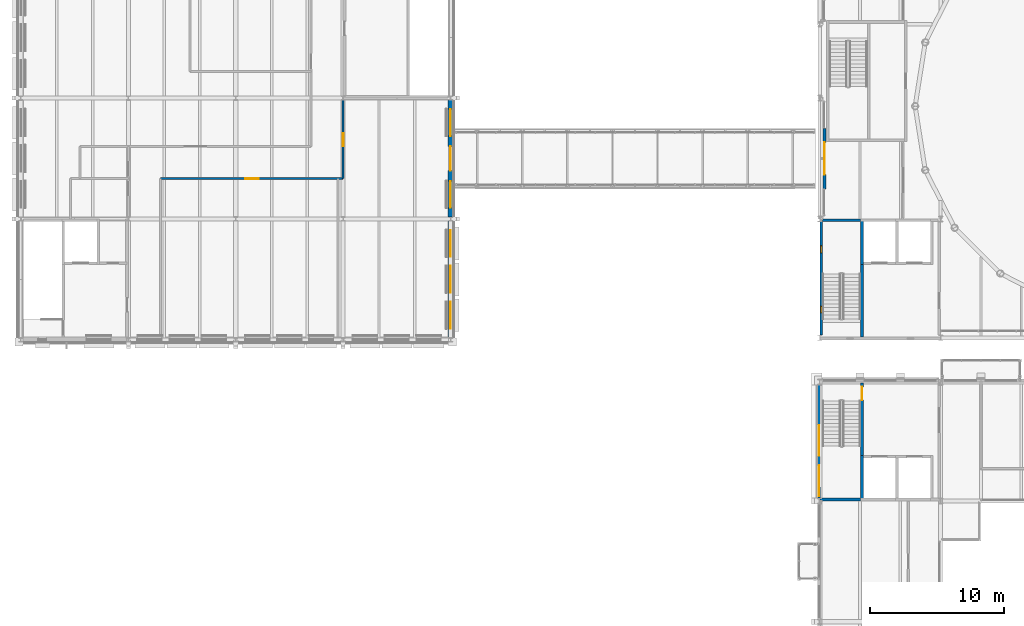
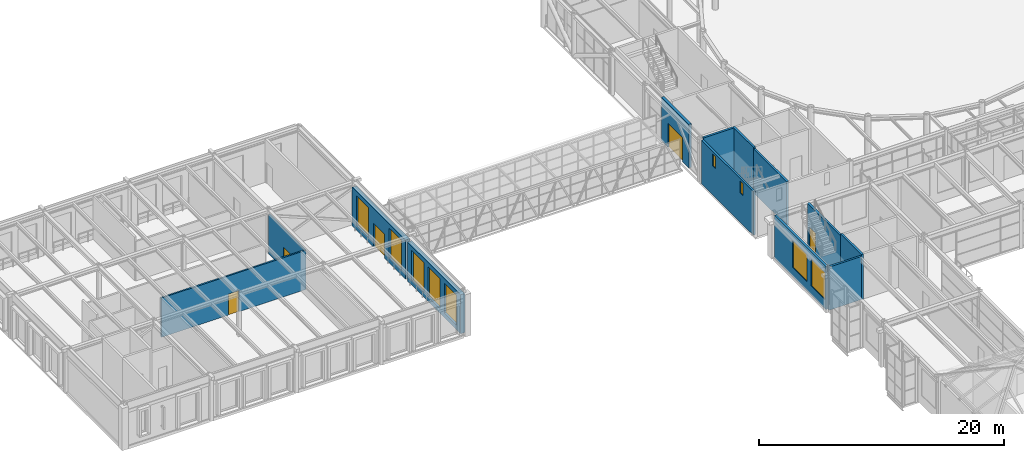
# One storey, part 94 of 149: 13 walls, 9 windows, 5 doors, 14 openings.
"""IFC4 building model written with IfcOpenShell, lengths in metres."""

from ifc_helpers import new_model, si_unit, direction, frame, frame_2d, origin, place, context, subcontext, project, spatial, rectangle, extrude, material, layer, layer_set, type_object, element, fill, save


model = new_model("IFC4")

# Units and contexts
model_context = context("Model", 3, precision=1e-05, world=origin(), true_north=direction((0.0, 1.0)))
body_context = subcontext(model_context, "Body", "Model", "MODEL_VIEW")
ifc_project = project(units=[si_unit("LENGTHUNIT", "METRE"), si_unit("AREAUNIT", "SQUARE_METRE"), si_unit("VOLUMEUNIT", "CUBIC_METRE"), si_unit("PLANEANGLEUNIT", "RADIAN"), si_unit("MASSUNIT", "GRAM", prefix="KILO")], contexts=[model_context])

# Site, building, storey
site_placement = place(None, origin())
site = spatial("IfcSite", under=ifc_project, at=site_placement, CompositionType="ELEMENT")
building_placement = place(site_placement, origin())
building = spatial("IfcBuilding", under=site, at=building_placement, Name="Kallimachos Central Library", CompositionType="ELEMENT")
storey_placement = place(building_placement, frame((0.0, 0.0, 9.89990234375)))
storey = spatial("IfcBuildingStorey", under=building, at=storey_placement, Name="L02", CompositionType="ELEMENT", Elevation=9.89990234375)

# Walls
ifc_material_1 = material(Name="Concrete C30/37", Category="concrete")
ifc_layer_1 = layer(ifc_material_1, 0.199951171875)
ifc_layer_set_1 = layer_set([ifc_layer_1], Name="Core wall 200")
wall_type_1 = type_object("IfcWallType", Name="Core wall 200", PredefinedType="SOLIDWALL", material=ifc_layer_set_1)
wall_1_placement = place(storey_placement, frame((65.699951171875, 95.89990234375, 0.0), z_axis=(0.0, 0.0, 1.0), x_axis=(1.0, 0.0, 0.0)))
element("IfcWall", 1, at=wall_1_placement, inside=storey, type_object=wall_type_1, Name="Core wall V1-SW N", PredefinedType="SOLIDWALL", context=body_context, shape_type="SweptSolid", body=[
    extrude(rectangle(XDim=2.85009765625, YDim=0.199951171875, at=frame_2d((1.425048828125, 0.0))), origin(), (0.0, 0.0, 1.0), 4.5),
])
wall_2_placement = place(storey_placement, frame((68.64990234375, 87.199951171875, 0.0), z_axis=(0.0, 0.0, 1.0), x_axis=(0.0, 1.0, 0.0)))
element("IfcWall", 2, at=wall_2_placement, inside=storey, type_object=wall_type_1, Name="Stair wall V1-SW", PredefinedType="SOLIDWALL", context=body_context, shape_type="SweptSolid", body=[
    extrude(rectangle(XDim=5.400146484375, YDim=0.199951171875, at=frame_2d((2.7001953125, 0.0))), origin(), (0.0, 0.0, 1.0), 4.35009765625),
])
ifc_material_2 = material(Name="Concrete C30/37", Category="concrete")
ifc_layer_2 = layer(ifc_material_2, 0.199951171875)
ifc_layer_set_2 = layer_set([ifc_layer_2], Name="Lift shaft wall 200")
wall_type_2 = type_object("IfcWallType", Name="Lift shaft wall 200", PredefinedType="SOLIDWALL", material=ifc_layer_set_2)
for number, where, z_axis, x_axis, name in (
    (3, (68.64990234375, 75.0, 0.0), (0.0, 0.0, 1.0), (0.0, 1.0, 0.0), "V4-WAL-L02-003"),
    (4, (68.64990234375, 92.60009765625, 0.0), (0.0, 0.0, 1.0), (0.0, 1.0, 0.0), "V1-WAL-L02-003"),
):
    element("IfcWall", number, at=place(storey_placement, frame(where, z_axis=z_axis, x_axis=x_axis)), inside=storey, type_object=wall_type_2, Name=name, PredefinedType="SOLIDWALL", context=body_context, shape_type="SweptSolid", body=[
        extrude(rectangle(XDim=3.39990234375, YDim=0.199951171875, at=frame_2d((1.699951171875, 0.0))), origin(), (0.0, 0.0, 1.0), 4.5),
    ])

# Wall, opening, door
ifc_material_3 = material(Name="Pentelic marble cladding on blockwork", Category="masonry")
ifc_layer_3 = layer(ifc_material_3, 0.25)
ifc_layer_set_3 = layer_set([ifc_layer_3], Name="Link portal wall 250")
wall_type_3 = type_object("IfcWallType", Name="Link portal wall 250", PredefinedType="SOLIDWALL", material=ifc_layer_set_3)
wall_3_placement = place(storey_placement, frame((65.85009765625, 98.25, 0.0), z_axis=(0.0, 0.0, 1.0), x_axis=(0.0, 1.0, 0.0)))
wall_3 = element("IfcWall", 5, at=wall_3_placement, inside=storey, type_object=wall_type_3, Name="V1-WAL-L02-016", PredefinedType="SOLIDWALL", context=body_context, shape_type="SweptSolid", body=[
    extrude(rectangle(XDim=4.5, YDim=0.25, at=frame_2d((2.25, 0.0))), origin(), (0.0, 0.0, 1.0), 4.35009765625),
])
opening_1_placement = place(wall_3_placement, frame((1.050048828125, 0.0, 0.0)))
opening_1 = element("IfcOpeningElement", 6, at=opening_1_placement, cuts=wall_3, Name="Opening D56", PredefinedType="OPENING", context=body_context, shape_type="SweptSolid", body=[
    extrude(rectangle(XDim=2.39990234375, YDim=2.39990234375, at=frame_2d((1.199951171875, 1.199951171875))), frame((0.0, 0.135009765625, 0.0), z_axis=(0.0, -1.0, 0.0), x_axis=(1.0, 0.0, 0.0)), (0.0, 0.0, 1.0), 0.27001953125),
])
ifc_material_4 = material(Name="Glass and anodised aluminium", Category="aluminium")
door_type_1 = type_object("IfcDoorType", Name="Glazed double door 2400 x 2400", OperationType="DOUBLE_DOOR_SINGLE_SWING", PredefinedType="DOOR", material=ifc_material_4)
door_1_placement = place(opening_1_placement, origin())
door_1 = element("IfcDoor", 7, at=door_1_placement, inside=storey, type_object=door_type_1, Name="V1-DOR-L02-006", OperationType="DOUBLE_DOOR_SINGLE_SWING", OverallHeight=2.39990234375, OverallWidth=2.39990234375, PredefinedType="DOOR", context=body_context, shape_type="SweptSolid", body=[
    extrude(rectangle(XDim=2.39990234375, YDim=2.39990234375, at=frame_2d((1.199951171875, 1.199951171875))), frame((0.0, 0.02490234375, 0.0), z_axis=(0.0, -1.0, 0.0), x_axis=(1.0, 0.0, 0.0)), (0.0, 0.0, 1.0), 0.050048828125),
])
fill(opening_1, door_1)

ifc_material_5 = material(Name="Gypsum board on steel studs", Category="steel")
ifc_layer_4 = layer(ifc_material_5, 0.14990234375)
ifc_layer_set_4 = layer_set([ifc_layer_4], Name="Partition wall 150")
wall_type_4 = type_object("IfcWallType", Name="Partition wall 150", PredefinedType="PARTITIONING", material=ifc_layer_set_4)
wall_4_placement = place(storey_placement, frame((16.39990234375, 99.0, 0.0), z_axis=(0.0, 0.0, 1.0), x_axis=(1.0, 0.0, 0.0)))
wall_4 = element("IfcWall", 8, at=wall_4_placement, inside=storey, type_object=wall_type_4, Name="Partition L02", PredefinedType="PARTITIONING", context=body_context, shape_type="SweptSolid", body=[
    extrude(rectangle(XDim=13.60009765625, YDim=0.14990234375, at=frame_2d((6.800048828125, 0.0))), origin(), (0.0, 0.0, 1.0), 3.91015625),
])
opening_2_placement = place(wall_4_placement, frame((6.300048828125, 0.0, 0.0)))
opening_2 = element("IfcOpeningElement", 9, at=opening_2_placement, cuts=wall_4, Name="Opening D313", PredefinedType="OPENING", context=body_context, shape_type="SweptSolid", body=[
    extrude(rectangle(XDim=1.0, YDim=2.10009765625, at=frame_2d((0.5, 1.050048828125))), frame((0.0, 0.0849609375, 0.0), z_axis=(0.0, -1.0, 0.0), x_axis=(1.0, 0.0, 0.0)), (0.0, 0.0, 1.0), 0.169921875),
])
ifc_material_6 = material(Name="Timber", Category="wood")
door_type_2 = type_object("IfcDoorType", Name="Single leaf door 1000 x 2100, EI2 30", OperationType="NOTDEFINED", PredefinedType="DOOR", material=ifc_material_6)
door_2_placement = place(opening_2_placement, origin())
door_2 = element("IfcDoor", 10, at=door_2_placement, inside=storey, type_object=door_type_2, Name="Door to Homework Room", OperationType="SINGLE_SWING_LEFT", OverallHeight=2.10009765625, OverallWidth=1.0, PredefinedType="DOOR", context=body_context, shape_type="SweptSolid", body=[
    extrude(rectangle(XDim=1.0, YDim=2.10009765625, at=frame_2d((0.5, 1.050048828125))), frame((0.0, 0.02490234375, 0.0), z_axis=(0.0, -1.0, 0.0), x_axis=(1.0, 0.0, 0.0)), (0.0, 0.0, 1.0), 0.050048828125),
])
fill(opening_2, door_2)

wall_5_placement = place(storey_placement, frame((30.0, 99.0, 0.0), z_axis=(0.0, 0.0, 1.0), x_axis=(0.0, 1.0, 0.0)))
wall_5 = element("IfcWall", 11, at=wall_5_placement, inside=storey, type_object=wall_type_4, Name="Partition L02", PredefinedType="PARTITIONING", context=body_context, shape_type="SweptSolid", body=[
    extrude(rectangle(XDim=5.85009765625, YDim=0.14990234375, at=frame_2d((2.925048828125, 0.0))), origin(), (0.0, 0.0, 1.0), 3.91015625),
])
opening_3_placement = place(wall_5_placement, frame((2.39990234375, 0.0, 0.0)))
opening_3 = element("IfcOpeningElement", 12, at=opening_3_placement, cuts=wall_5, Name="Opening D314", PredefinedType="OPENING", context=body_context, shape_type="SweptSolid", body=[
    extrude(rectangle(XDim=1.0, YDim=2.10009765625, at=frame_2d((0.5, 1.050048828125))), frame((0.0, 0.0849609375, 0.0), z_axis=(0.0, -1.0, 0.0), x_axis=(1.0, 0.0, 0.0)), (0.0, 0.0, 1.0), 0.169921875),
])
door_3_placement = place(opening_3_placement, origin())
door_3 = element("IfcDoor", 13, at=door_3_placement, inside=storey, type_object=door_type_2, Name="Door to Family Room", OperationType="SINGLE_SWING_RIGHT", OverallHeight=2.10009765625, OverallWidth=1.0, PredefinedType="DOOR", context=body_context, shape_type="SweptSolid", body=[
    extrude(rectangle(XDim=1.0, YDim=2.10009765625, at=frame_2d((0.5, 1.050048828125))), frame((0.0, 0.02490234375, 0.0), z_axis=(0.0, -1.0, 0.0), x_axis=(1.0, 0.0, 0.0)), (0.0, 0.0, 1.0), 0.050048828125),
])
fill(opening_3, door_3)

# Wall
ifc_material_7 = material(Name="Concrete C35/45", Category="concrete")
ifc_layer_5 = layer(ifc_material_7, 0.199951171875)
ifc_layer_set_5 = layer_set([ifc_layer_5], Name="Shear core wall 200, internal")
wall_type_5 = type_object("IfcWallType", Name="Shear core wall 200, internal", PredefinedType="SHEAR", material=ifc_layer_set_5)
wall_6_placement = place(storey_placement, frame((65.5, 75.10009765625, 0.0), z_axis=(0.0, 0.0, 1.0), x_axis=(1.0, 0.0, 0.0)))
element("IfcWall", 14, at=wall_6_placement, inside=storey, type_object=wall_type_5, Name="L02 core wall V4-NW S", PredefinedType="SHEAR", context=body_context, shape_type="SweptSolid", body=[
    extrude(rectangle(XDim=3.050048828125, YDim=0.199951171875, at=frame_2d((1.52490234375, 0.0))), origin(), (0.0, 0.0, 1.0), 4.300048828125),
])

# Wall, opening, door
wall_7_placement = place(storey_placement, frame((68.64990234375, 78.39990234375, 0.0), z_axis=(0.0, 0.0, 1.0), x_axis=(0.0, 1.0, 0.0)))
wall_7 = element("IfcWall", 15, at=wall_7_placement, inside=storey, type_object=wall_type_5, Name="L02 core wall V4-NW M", PredefinedType="SHEAR", context=body_context, shape_type="SweptSolid", body=[
    extrude(rectangle(XDim=5.400146484375, YDim=0.199951171875, at=frame_2d((2.7001953125, 0.0))), origin(), (0.0, 0.0, 1.0), 4.300048828125),
])
opening_4_placement = place(wall_7_placement, frame((4.10009765625, 0.0, 0.0)))
opening_4 = element("IfcOpeningElement", 16, at=opening_4_placement, cuts=wall_7, Name="Opening D153", PredefinedType="OPENING", context=body_context, shape_type="SweptSolid", body=[
    extrude(rectangle(XDim=1.0, YDim=2.10009765625, at=frame_2d((0.5, 1.050048828125))), frame((0.0, 0.10986328125, 0.0), z_axis=(0.0, -1.0, 0.0), x_axis=(1.0, 0.0, 0.0)), (0.0, 0.0, 1.0), 0.219970703125),
])
ifc_material_8 = material(Name="Timber", Category="wood")
door_type_3 = type_object("IfcDoorType", Name="Single leaf door 1000 x 2100, EI2 90", OperationType="NOTDEFINED", PredefinedType="DOOR", material=ifc_material_8)
door_4_placement = place(opening_4_placement, origin())
door_4 = element("IfcDoor", 17, at=door_4_placement, inside=storey, type_object=door_type_3, Name="L02 core door V4-NW", OperationType="SINGLE_SWING_RIGHT", OverallHeight=2.10009765625, OverallWidth=1.0, PredefinedType="DOOR", context=body_context, shape_type="SweptSolid", body=[
    extrude(rectangle(XDim=1.0, YDim=2.10009765625, at=frame_2d((0.5, 1.050048828125))), frame((0.0, 0.02490234375, 0.0), z_axis=(0.0, -1.0, 0.0), x_axis=(1.0, 0.0, 0.0)), (0.0, 0.0, 1.0), 0.050048828125),
])
fill(opening_4, door_4)

# Wall, openings, windows
ifc_material_9 = material(Name="Pentelic marble cladding on insulated brick masonry", Category="masonry")
ifc_layer_6 = layer(ifc_material_9, 0.39990234375)
ifc_layer_set_6 = layer_set([ifc_layer_6], Name="Stone cladding wall 400, unrated")
wall_type_6 = type_object("IfcWallType", Name="Stone cladding wall 400, unrated", PredefinedType="SOLIDWALL", material=ifc_layer_set_6)
wall_8_placement = place(storey_placement, frame((38.0, 87.14990234375, 0.0), z_axis=(0.0, 0.0, 1.0), x_axis=(0.0, 1.0, 0.0)))
wall_8 = element("IfcWall", 18, at=wall_8_placement, inside=storey, type_object=wall_type_6, Name="Stone wall E1 L02", PredefinedType="SOLIDWALL", context=body_context, shape_type="SweptSolid", body=[
    extrude(rectangle(XDim=8.7001953125, YDim=0.39990234375, at=frame_2d((4.35009765625, 0.0))), origin(), (0.0, 0.0, 1.0), 3.880126953125),
])
opening_5_placement = place(wall_8_placement, frame((0.675048828125, 0.0, 0.449951171875)))
opening_5 = element("IfcOpeningElement", 19, at=opening_5_placement, cuts=wall_8, Name="Opening WN249", PredefinedType="OPENING", context=body_context, shape_type="SweptSolid", body=[
    extrude(rectangle(XDim=2.0, YDim=3.0, at=frame_2d((1.0, 1.5))), frame((0.0, 0.2099609375, 0.0), z_axis=(0.0, -1.0, 0.0), x_axis=(1.0, 0.0, 0.0)), (0.0, 0.0, 1.0), 0.419921875),
])
opening_6_placement = place(wall_8_placement, frame((3.35009765625, 0.0, 0.449951171875)))
opening_6 = element("IfcOpeningElement", 20, at=opening_6_placement, cuts=wall_8, Name="Opening WN250", PredefinedType="OPENING", context=body_context, shape_type="SweptSolid", body=[
    extrude(rectangle(XDim=2.0, YDim=3.0, at=frame_2d((1.0, 1.5))), frame((0.0, 0.2099609375, 0.0), z_axis=(0.0, -1.0, 0.0), x_axis=(1.0, 0.0, 0.0)), (0.0, 0.0, 1.0), 0.419921875),
])
opening_7_placement = place(wall_8_placement, frame((6.02490234375, 0.0, 0.449951171875)))
opening_7 = element("IfcOpeningElement", 21, at=opening_7_placement, cuts=wall_8, Name="Opening WN251", PredefinedType="OPENING", context=body_context, shape_type="SweptSolid", body=[
    extrude(rectangle(XDim=2.0, YDim=3.0, at=frame_2d((1.0, 1.5))), frame((0.0, 0.2099609375, 0.0), z_axis=(0.0, -1.0, 0.0), x_axis=(1.0, 0.0, 0.0)), (0.0, 0.0, 1.0), 0.419921875),
])
ifc_material_10 = material(Name="Laminated safety glass in painted steel frame", Category="steel")
window_type_1 = type_object("IfcWindowType", Name="Window 2000 x 3000", PartitioningType="SINGLE_PANEL", PredefinedType="WINDOW", material=ifc_material_10)
window_1_placement = place(opening_5_placement, origin())
window_1 = element("IfcWindow", 22, at=window_1_placement, inside=storey, type_object=window_type_1, Name="V2-WIN-L02-029", OverallHeight=3.0, OverallWidth=2.0, PartitioningType="SINGLE_PANEL", PredefinedType="WINDOW", context=body_context, shape_type="SweptSolid", body=[
    extrude(rectangle(XDim=2.0, YDim=3.0, at=frame_2d((1.0, 1.5))), frame((0.0, 0.030029296875, 0.0), z_axis=(0.0, -1.0, 0.0), x_axis=(1.0, 0.0, 0.0)), (0.0, 0.0, 1.0), 0.06005859375),
])
fill(opening_5, window_1)
window_2_placement = place(opening_6_placement, origin())
window_2 = element("IfcWindow", 23, at=window_2_placement, inside=storey, type_object=window_type_1, Name="V2-WIN-L02-030", OverallHeight=3.0, OverallWidth=2.0, PartitioningType="SINGLE_PANEL", PredefinedType="WINDOW", context=body_context, shape_type="SweptSolid", body=[
    extrude(rectangle(XDim=2.0, YDim=3.0, at=frame_2d((1.0, 1.5))), frame((0.0, 0.030029296875, 0.0), z_axis=(0.0, -1.0, 0.0), x_axis=(1.0, 0.0, 0.0)), (0.0, 0.0, 1.0), 0.06005859375),
])
fill(opening_6, window_2)
window_3_placement = place(opening_7_placement, origin())
window_3 = element("IfcWindow", 24, at=window_3_placement, inside=storey, type_object=window_type_1, Name="V2-WIN-L02-031", OverallHeight=3.0, OverallWidth=2.0, PartitioningType="SINGLE_PANEL", PredefinedType="WINDOW", context=body_context, shape_type="SweptSolid", body=[
    extrude(rectangle(XDim=2.0, YDim=3.0, at=frame_2d((1.0, 1.5))), frame((0.0, 0.030029296875, 0.0), z_axis=(0.0, -1.0, 0.0), x_axis=(1.0, 0.0, 0.0)), (0.0, 0.0, 1.0), 0.06005859375),
])
fill(opening_7, window_3)

# Wall, openings, door, windows
wall_9_placement = place(storey_placement, frame((38.0, 96.14990234375, 0.0), z_axis=(0.0, 0.0, 1.0), x_axis=(0.0, 1.0, 0.0)))
wall_9 = element("IfcWall", 25, at=wall_9_placement, inside=storey, type_object=wall_type_6, Name="Stone wall E2 L02", PredefinedType="SOLIDWALL", context=body_context, shape_type="SweptSolid", body=[
    extrude(rectangle(XDim=8.7001953125, YDim=0.39990234375, at=frame_2d((4.35009765625, 0.0))), origin(), (0.0, 0.0, 1.0), 3.880126953125),
])
opening_8_placement = place(wall_9_placement, frame((0.675048828125, 0.0, 0.449951171875)))
opening_8 = element("IfcOpeningElement", 26, at=opening_8_placement, cuts=wall_9, Name="Opening WN257", PredefinedType="OPENING", context=body_context, shape_type="SweptSolid", body=[
    extrude(rectangle(XDim=2.0, YDim=3.0, at=frame_2d((1.0, 1.5))), frame((0.0, 0.2099609375, 0.0), z_axis=(0.0, -1.0, 0.0), x_axis=(1.0, 0.0, 0.0)), (0.0, 0.0, 1.0), 0.419921875),
])
opening_9_placement = place(wall_9_placement, frame((3.449951171875, 0.0, 0.0)))
opening_9 = element("IfcOpeningElement", 27, at=opening_9_placement, cuts=wall_9, Name="Opening DL5", PredefinedType="OPENING", context=body_context, shape_type="SweptSolid", body=[
    extrude(rectangle(XDim=1.800048828125, YDim=2.39990234375, at=frame_2d((0.89990234375, 1.199951171875))), frame((0.0, 0.2099609375, 0.0), z_axis=(0.0, -1.0, 0.0), x_axis=(1.0, 0.0, 0.0)), (0.0, 0.0, 1.0), 0.419921875),
])
opening_10_placement = place(wall_9_placement, frame((6.02490234375, 0.0, 0.449951171875)))
opening_10 = element("IfcOpeningElement", 28, at=opening_10_placement, cuts=wall_9, Name="Opening WN258", PredefinedType="OPENING", context=body_context, shape_type="SweptSolid", body=[
    extrude(rectangle(XDim=2.0, YDim=3.0, at=frame_2d((1.0, 1.5))), frame((0.0, 0.2099609375, 0.0), z_axis=(0.0, -1.0, 0.0), x_axis=(1.0, 0.0, 0.0)), (0.0, 0.0, 1.0), 0.419921875),
])
ifc_material_11 = material(Name="Anodised aluminium and laminated glass", Category="aluminium")
door_type_4 = type_object("IfcDoorType", Name="Link door 1800 x 2400", OperationType="DOUBLE_DOOR_SINGLE_SWING", PredefinedType="DOOR", material=ifc_material_11)
door_5_placement = place(opening_9_placement, frame((1.800048828125, 0.0, 0.0), z_axis=(0.0, 0.0, 1.0), x_axis=(-1.0, 0.0, 0.0)))
door_5 = element("IfcDoor", 29, at=door_5_placement, inside=storey, type_object=door_type_4, Name="Link door B-W", OperationType="DOUBLE_DOOR_SINGLE_SWING", OverallHeight=2.39990234375, OverallWidth=1.800048828125, PredefinedType="DOOR", context=body_context, shape_type="SweptSolid", body=[
    extrude(rectangle(XDim=1.800048828125, YDim=2.39990234375, at=frame_2d((0.89990234375, 1.199951171875))), frame((0.0, 0.02490234375, 0.0), z_axis=(0.0, -1.0, 0.0), x_axis=(1.0, 0.0, 0.0)), (0.0, 0.0, 1.0), 0.050048828125),
])
fill(opening_9, door_5)
window_4_placement = place(opening_8_placement, origin())
window_4 = element("IfcWindow", 30, at=window_4_placement, inside=storey, type_object=window_type_1, Name="V2-WIN-L02-032", OverallHeight=3.0, OverallWidth=2.0, PartitioningType="SINGLE_PANEL", PredefinedType="WINDOW", context=body_context, shape_type="SweptSolid", body=[
    extrude(rectangle(XDim=2.0, YDim=3.0, at=frame_2d((1.0, 1.5))), frame((0.0, 0.030029296875, 0.0), z_axis=(0.0, -1.0, 0.0), x_axis=(1.0, 0.0, 0.0)), (0.0, 0.0, 1.0), 0.06005859375),
])
fill(opening_8, window_4)
window_5_placement = place(opening_10_placement, origin())
window_5 = element("IfcWindow", 31, at=window_5_placement, inside=storey, type_object=window_type_1, Name="V2-WIN-L02-033", OverallHeight=3.0, OverallWidth=2.0, PartitioningType="SINGLE_PANEL", PredefinedType="WINDOW", context=body_context, shape_type="SweptSolid", body=[
    extrude(rectangle(XDim=2.0, YDim=3.0, at=frame_2d((1.0, 1.5))), frame((0.0, 0.030029296875, 0.0), z_axis=(0.0, -1.0, 0.0), x_axis=(1.0, 0.0, 0.0)), (0.0, 0.0, 1.0), 0.06005859375),
])
fill(opening_10, window_5)

# Wall, openings, windows
ifc_material_12 = material(Name="Concrete C30/37", Category="concrete")
ifc_layer_7 = layer(ifc_material_12, 0.199951171875)
ifc_layer_set_7 = layer_set([ifc_layer_7], Name="Stone-clad core wall 200")
wall_type_7 = type_object("IfcWallType", Name="Stone-clad core wall 200", PredefinedType="SOLIDWALL", material=ifc_layer_set_7)
wall_10_placement = place(storey_placement, frame((65.60009765625, 87.35009765625, 0.0), z_axis=(0.0, 0.0, 1.0), x_axis=(0.0, 1.0, 0.0)))
wall_10 = element("IfcWall", 32, at=wall_10_placement, inside=storey, type_object=wall_type_7, Name="Core wall V1-SW W", PredefinedType="SOLIDWALL", context=body_context, shape_type="SweptSolid", body=[
    extrude(rectangle(XDim=8.449951171875, YDim=0.199951171875, at=frame_2d((4.22509765625, 0.0))), origin(), (0.0, 0.0, 1.0), 4.35009765625),
])
opening_11_placement = place(wall_10_placement, frame((1.64990234375, 0.0, 2.89990234375)))
opening_11 = element("IfcOpeningElement", 33, at=opening_11_placement, cuts=wall_10, Name="Opening W100", PredefinedType="OPENING", context=body_context, shape_type="SweptSolid", body=[
    extrude(rectangle(XDim=0.5, YDim=1.199951171875, at=frame_2d((0.25, 0.60009765625))), frame((0.0, 0.10986328125, 0.0), z_axis=(0.0, -1.0, 0.0), x_axis=(1.0, 0.0, 0.0)), (0.0, 0.0, 1.0), 0.219970703125),
])
opening_12_placement = place(wall_10_placement, frame((6.14990234375, 0.0, 2.89990234375)))
opening_12 = element("IfcOpeningElement", 34, at=opening_12_placement, cuts=wall_10, Name="Opening W101", PredefinedType="OPENING", context=body_context, shape_type="SweptSolid", body=[
    extrude(rectangle(XDim=0.5, YDim=1.199951171875, at=frame_2d((0.25, 0.60009765625))), frame((0.0, 0.10986328125, 0.0), z_axis=(0.0, -1.0, 0.0), x_axis=(1.0, 0.0, 0.0)), (0.0, 0.0, 1.0), 0.219970703125),
])
ifc_material_13 = material(Name="Laminated glass in bronze-anodised aluminium frame", Category="aluminium")
window_type_2 = type_object("IfcWindowType", Name="Stair slot window 500x1200", PartitioningType="SINGLE_PANEL", PredefinedType="WINDOW", material=ifc_material_13)
window_6_placement = place(opening_11_placement, origin())
window_6 = element("IfcWindow", 35, at=window_6_placement, inside=storey, type_object=window_type_2, Name="V1-WIN-L02-001", OverallHeight=1.199951171875, OverallWidth=0.5, PartitioningType="SINGLE_PANEL", PredefinedType="WINDOW", context=body_context, shape_type="SweptSolid", body=[
    extrude(rectangle(XDim=0.5, YDim=1.199951171875, at=frame_2d((0.25, 0.60009765625))), frame((0.0, 0.030029296875, 0.0), z_axis=(0.0, -1.0, 0.0), x_axis=(1.0, 0.0, 0.0)), (0.0, 0.0, 1.0), 0.06005859375),
])
fill(opening_11, window_6)
window_7_placement = place(opening_12_placement, origin())
window_7 = element("IfcWindow", 36, at=window_7_placement, inside=storey, type_object=window_type_2, Name="V1-WIN-L02-002", OverallHeight=1.199951171875, OverallWidth=0.5, PartitioningType="SINGLE_PANEL", PredefinedType="WINDOW", context=body_context, shape_type="SweptSolid", body=[
    extrude(rectangle(XDim=0.5, YDim=1.199951171875, at=frame_2d((0.25, 0.60009765625))), frame((0.0, 0.030029296875, 0.0), z_axis=(0.0, -1.0, 0.0), x_axis=(1.0, 0.0, 0.0)), (0.0, 0.0, 1.0), 0.06005859375),
])
fill(opening_12, window_7)

ifc_material_14 = material(Name="Brick masonry with Pentelic marble cladding", Category="masonry")
ifc_layer_8 = layer(ifc_material_14, 0.199951171875)
ifc_layer_set_8 = layer_set([ifc_layer_8], Name="Stone-clad masonry wall 200, load-bearing, EI 120")
wall_type_8 = type_object("IfcWallType", Name="Stone-clad masonry wall 200, load-bearing, EI 120", PredefinedType="SOLIDWALL", material=ifc_layer_set_8)
wall_11_placement = place(storey_placement, frame((65.446533203125, 75.216064453125, 0.0), z_axis=(0.0, 0.0, 1.0), x_axis=(0.0, 1.0, 0.0)))
wall_11 = element("IfcWall", 37, at=wall_11_placement, inside=storey, type_object=wall_type_8, Name="V4-WAL-L02-022", PredefinedType="SOLIDWALL", context=body_context, shape_type="SweptSolid", body=[
    extrude(rectangle(XDim=8.41796875, YDim=0.199951171875, at=frame_2d((4.208984375, 0.0))), origin(), (0.0, 0.0, 1.0), 4.300048828125),
])
opening_13_placement = place(wall_11_placement, frame((0.134033203125, 0.0, 0.89990234375)))
opening_13 = element("IfcOpeningElement", 38, at=opening_13_placement, cuts=wall_11, Name="Opening WN268", PredefinedType="OPENING", context=body_context, shape_type="SweptSolid", body=[
    extrude(rectangle(XDim=2.300048828125, YDim=2.699951171875, at=frame_2d((1.14990234375, 1.35009765625))), frame((0.0, 0.10986328125, 0.0), z_axis=(0.0, -1.0, 0.0), x_axis=(1.0, 0.0, 0.0)), (0.0, 0.0, 1.0), 0.219970703125),
])
opening_14_placement = place(wall_11_placement, frame((3.134033203125, 0.0, 0.89990234375)))
opening_14 = element("IfcOpeningElement", 39, at=opening_14_placement, cuts=wall_11, Name="Opening WN268", PredefinedType="OPENING", context=body_context, shape_type="SweptSolid", body=[
    extrude(rectangle(XDim=2.300048828125, YDim=2.699951171875, at=frame_2d((1.14990234375, 1.35009765625))), frame((0.0, 0.10986328125, 0.0), z_axis=(0.0, -1.0, 0.0), x_axis=(1.0, 0.0, 0.0)), (0.0, 0.0, 1.0), 0.219970703125),
])
ifc_material_15 = material(Name="Anodised aluminium and laminated glass", Category="aluminium")
window_type_3 = type_object("IfcWindowType", Name="Window 2300 x 2700, EI 120", PartitioningType="DOUBLE_PANEL_VERTICAL", PredefinedType="WINDOW", material=ifc_material_15)
window_8_placement = place(opening_13_placement, origin())
window_8 = element("IfcWindow", 40, at=window_8_placement, inside=storey, type_object=window_type_3, Name="V4-WIN-L02-021", OverallHeight=2.699951171875, OverallWidth=2.300048828125, PartitioningType="SINGLE_PANEL", PredefinedType="WINDOW", context=body_context, shape_type="SweptSolid", body=[
    extrude(rectangle(XDim=2.300048828125, YDim=2.699951171875, at=frame_2d((1.14990234375, 1.35009765625))), frame((0.0, 0.030029296875, 0.0), z_axis=(0.0, -1.0, 0.0), x_axis=(1.0, 0.0, 0.0)), (0.0, 0.0, 1.0), 0.06005859375),
])
fill(opening_13, window_8)
window_9_placement = place(opening_14_placement, origin())
window_9 = element("IfcWindow", 41, at=window_9_placement, inside=storey, type_object=window_type_3, Name="V4-WIN-L02-022", OverallHeight=2.699951171875, OverallWidth=2.300048828125, PartitioningType="SINGLE_PANEL", PredefinedType="WINDOW", context=body_context, shape_type="SweptSolid", body=[
    extrude(rectangle(XDim=2.300048828125, YDim=2.699951171875, at=frame_2d((1.14990234375, 1.35009765625))), frame((0.0, 0.030029296875, 0.0), z_axis=(0.0, -1.0, 0.0), x_axis=(1.0, 0.0, 0.0)), (0.0, 0.0, 1.0), 0.06005859375),
])
fill(opening_14, window_9)

save(model, "model.ifc")
